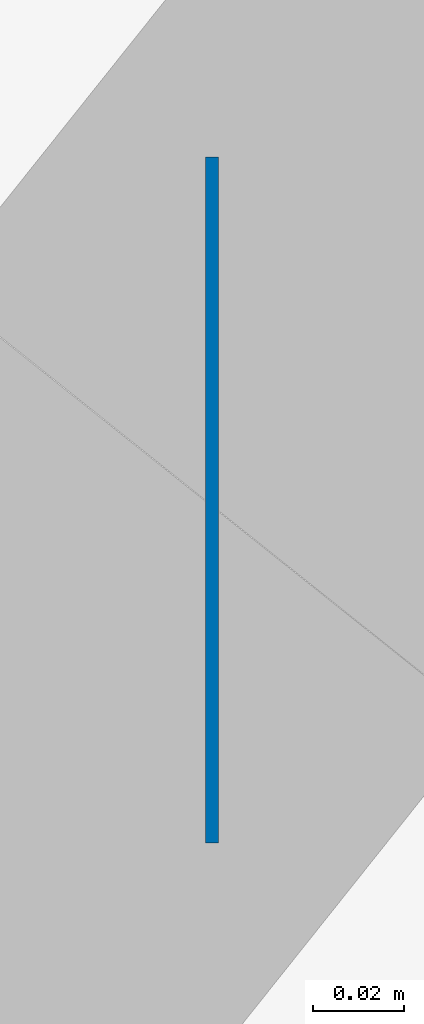
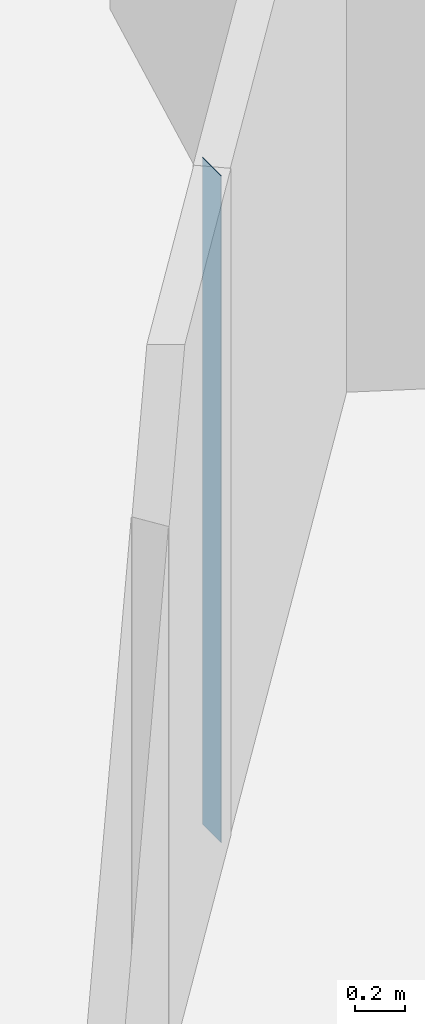
# One storey, part 5 of 13: 1 wall.
"""IFC4 building model written with IfcOpenShell, lengths in metres."""

from ifc_helpers import new_model, si_unit, direction, frame, frame_2d, origin, place, context, subcontext, project, spatial, rectangle, extrude, material, layer, layer_set, type_object, element, save


model = new_model("IFC4")

# Units and contexts
model_context = context("Model", 3, precision=1e-05, world=origin(), true_north=direction((0.0, 1.0)))
body_context = subcontext(model_context, "Body", "Model", "MODEL_VIEW")
ifc_project = project(units=[si_unit("LENGTHUNIT", "METRE"), si_unit("AREAUNIT", "SQUARE_METRE"), si_unit("VOLUMEUNIT", "CUBIC_METRE"), si_unit("PLANEANGLEUNIT", "RADIAN"), si_unit("MASSUNIT", "GRAM", prefix="KILO")], contexts=[model_context])

# Site, building, storey
site_placement = place(None, origin())
site = spatial("IfcSite", under=ifc_project, at=site_placement, CompositionType="ELEMENT")
building_placement = place(site_placement, origin())
building = spatial("IfcBuilding", under=site, at=building_placement, Name="Tracery Tower", CompositionType="ELEMENT")
storey_placement = place(building_placement, frame((0.0, 0.0, 252.60009765625)))
storey = spatial("IfcBuildingStorey", under=building, at=storey_placement, Name="L65", CompositionType="ELEMENT", Elevation=252.60009765625)

# Wall
ifc_material = material(Name="Plasterboard on steel studs", Category="steel")
ifc_layer = layer(ifc_material, 0.14990234375)
ifc_layer_set = layer_set([ifc_layer], Name="Partition 150 corridor wall")
wall_type = type_object("IfcWallType", Name="Partition 150 corridor wall", PredefinedType="PARTITIONING", material=ifc_layer_set)
wall_placement = place(storey_placement, frame((11.136962890625, -8.800048828125, 0.0), z_axis=(0.0, 0.0, 1.0), x_axis=(-1.0, 0.0, 0.0)))
element("IfcWall", 1, at=wall_placement, inside=storey, type_object=wall_type, Name="Corridor wall RC3-019", PredefinedType="PARTITIONING", context=body_context, shape_type="SweptSolid", body=[
    extrude(rectangle(XDim=0.0029296875, YDim=0.14990234375, at=frame_2d((0.00146484375, 0.0))), origin(), (0.0, 0.0, 1.0), 3.25),
])

save(model, "model.ifc")
